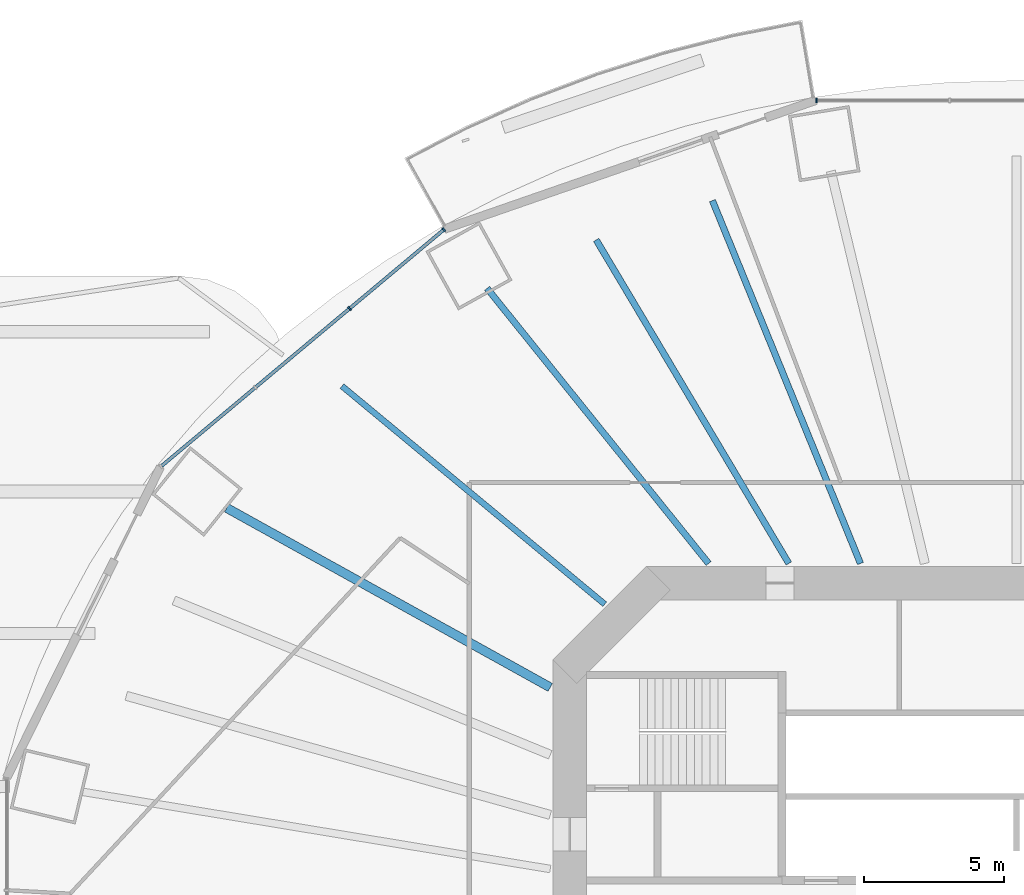
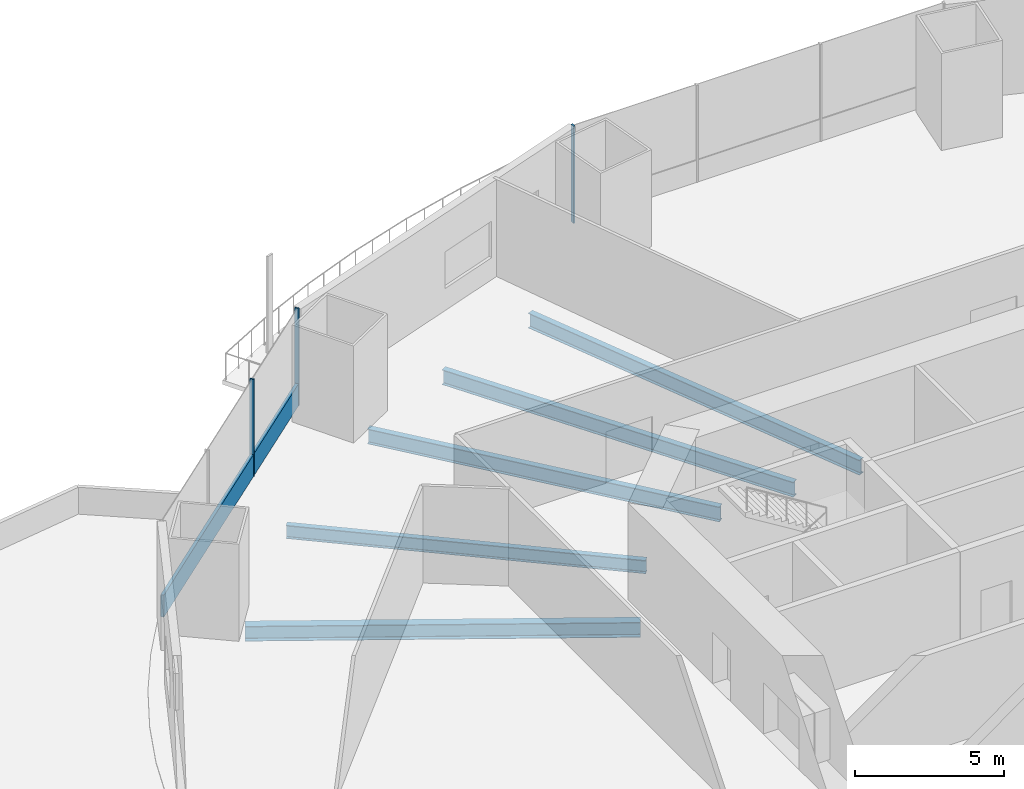
# One storey, part 9 of 27: 5 beams, 4 members, 2 elements without a shape of their own.
"""IFC4 building model written with IfcOpenShell, lengths in metres."""

from ifc_helpers import new_model, si_unit, direction, frame, origin, origin_2d, place, context, subcontext, project, spatial, rectangle, i_section, extrude, material, material_profile, profile_set, type_object, element, aggregate, save


model = new_model("IFC4")

# Units and contexts
model_context = context("Model", 3, precision=1e-05, world=origin(), true_north=direction((0.0, 1.0)))
body_context = subcontext(model_context, "Body", "Model", "MODEL_VIEW")
ifc_project = project(units=[si_unit("LENGTHUNIT", "METRE"), si_unit("AREAUNIT", "SQUARE_METRE"), si_unit("VOLUMEUNIT", "CUBIC_METRE"), si_unit("PLANEANGLEUNIT", "RADIAN"), si_unit("MASSUNIT", "GRAM", prefix="KILO")], contexts=[model_context])

# Site, building, storey
site_placement = place(None, origin())
site = spatial("IfcSite", under=ifc_project, at=site_placement, CompositionType="ELEMENT")
building_placement = place(site_placement, origin())
building = spatial("IfcBuilding", under=site, at=building_placement, Name="Marenthal Gate Tower", CompositionType="ELEMENT")
storey_placement = place(building_placement, frame((0.0, 0.0, 33.0)))
storey = spatial("IfcBuildingStorey", under=building, at=storey_placement, Name="L04", CompositionType="ELEMENT", Elevation=33.0)

# Curtain wall, member
ifc_material_1 = material(Name="Aluminium and glass", Category="aluminium")
curtain_wall_type = type_object("IfcCurtainWallType", Name="Curtain wall typical low", PredefinedType="NOTDEFINED", material=ifc_material_1)
curtain_wall_1_placement = place(storey_placement, origin())
curtain_wall_1 = element("IfcCurtainWall", 1, at=curtain_wall_1_placement, inside=storey, type_object=curtain_wall_type, Name="Curtain wall L04 bay 4", PredefinedType="NOTDEFINED")
ifc_material_2 = material(Name="Aluminium", Category="aluminium")
ifc_material_profile_1 = material_profile(ifc_material_2, rectangle(XDim=0.159912109375, YDim=0.06005859375, at=origin_2d()), Name="60x160 aluminium mullion")
ifc_profile_set_1 = profile_set([ifc_material_profile_1], Name="Aluminium")
member_type_1 = type_object("IfcMemberType", Name="Mullion 60x160 typical low", PredefinedType="MULLION", material=ifc_profile_set_1)
member_1_placement = place(storey_placement, frame((-7.164794921875, 30.28662109375, 0.0), z_axis=(0.0, 0.0, 1.0), x_axis=(0.0, -1.0, 0.0)))
member_1 = element("IfcMember", 2, at=member_1_placement, type_object=member_type_1, Name="Mullion L04 bay 4.4", PredefinedType="MULLION", context=body_context, shape_type="SweptSolid", body=[
    extrude(rectangle(XDim=0.159912109375, YDim=0.06005859375, at=origin_2d()), origin(), (0.0, 0.0, 1.0), 3.969970703125),
])
aggregate(curtain_wall_1, [member_1])

# Curtain wall, members
curtain_wall_2_placement = place(storey_placement, origin())
curtain_wall_2 = element("IfcCurtainWall", 3, at=curtain_wall_2_placement, inside=storey, type_object=curtain_wall_type, Name="Curtain wall L04 bay 6", PredefinedType="NOTDEFINED")
member_2_placement = place(storey_placement, frame((-20.512451171875, 25.656494140625, 0.0), z_axis=(0.0, 0.0, 1.0), x_axis=(0.641982192245, -0.76671954771, 0.0)))
member_2 = element("IfcMember", 4, at=member_2_placement, type_object=member_type_1, Name="Mullion L04 bay 6.1", PredefinedType="MULLION", context=body_context, shape_type="SweptSolid", body=[
    extrude(rectangle(XDim=0.159912109375, YDim=0.06005859375, at=origin_2d()), origin(), (0.0, 0.0, 1.0), 3.969970703125),
])
member_3_placement = place(storey_placement, frame((-23.888916015625, 22.829345703125, 0.0), z_axis=(0.0, 0.0, 1.0), x_axis=(0.641982192245, -0.76671954771, 0.0)))
member_3 = element("IfcMember", 5, at=member_3_placement, type_object=member_type_1, Name="Mullion L04 bay 6.2", PredefinedType="MULLION", context=body_context, shape_type="SweptSolid", body=[
    extrude(rectangle(XDim=0.159912109375, YDim=0.06005859375, at=origin_2d()), origin(), (0.0, 0.0, 1.0), 3.969970703125),
])
ifc_material_3 = material(Name="Aluminium", Category="aluminium")
ifc_material_profile_2 = material_profile(ifc_material_3, rectangle(XDim=0.1201171875, YDim=0.89990234375, at=origin_2d()), Name="120x900 aluminium transom")
ifc_profile_set_2 = profile_set([ifc_material_profile_2], Name="Aluminium")
member_type_2 = type_object("IfcMemberType", Name="Transom 120x900 typical low", PredefinedType="USERDEFINED", material=ifc_profile_set_2)
member_4_placement = place(storey_placement, frame((-20.535400390625, 25.63720703125, 0.449951171875), z_axis=(-0.766726434385, -0.641973967397, 0.0), x_axis=(0.641973967397, -0.766726434385, 0.0)))
member_4 = element("IfcMember", 6, at=member_4_placement, type_object=member_type_2, Name="Transom L04 bay 6", ObjectType="TRANSOM", PredefinedType="USERDEFINED", context=body_context, shape_type="SweptSolid", body=[
    extrude(rectangle(XDim=0.1201171875, YDim=0.89990234375, at=origin_2d()), origin(), (0.0, 0.0, 1.0), 13.151123046875),
])
aggregate(curtain_wall_2, [member_2, member_3, member_4])

# Beams
ifc_material_4 = material(Name="Steel S355", Category="steel")
ifc_material_profile_3 = material_profile(ifc_material_4, i_section(OverallWidth=0.2119140625, OverallDepth=0.5439453125, WebThickness=0.01318359375, FlangeThickness=0.021240234375, FilletRadius=0.0126953125, at=origin_2d()), Name="W530X123")
ifc_profile_set_3 = profile_set([ifc_material_profile_3], Name="Steel S355")
beam_type_1 = type_object("IfcBeamType", Name="W530X123 beam", PredefinedType="BEAM", material=ifc_profile_set_3)
beam_1_placement = place(storey_placement, frame((-24.16015625, 20.0537109375, -0.451904296875), z_axis=(0.769474660686, -0.638677341512, 0.0), x_axis=(0.638677341512, 0.769474660686, 0.0)))
element("IfcBeam", 7, at=beam_1_placement, inside=storey, type_object=beam_type_1, Name="BM-L04-25", PredefinedType="BEAM", context=body_context, shape_type="SweptSolid", body=[
    extrude(i_section(OverallWidth=0.2119140625, OverallDepth=0.5439453125, WebThickness=0.01318359375, FlangeThickness=0.021240234375, FilletRadius=0.0126953125, at=origin_2d()), origin(), (0.0, 0.0, 1.0), 12.2314453125),
])
ifc_material_5 = material(Name="Steel S355", Category="steel")
ifc_material_profile_4 = material_profile(ifc_material_5, i_section(OverallWidth=0.22900390625, OverallDepth=0.612060546875, WebThickness=0.011962890625, FlangeThickness=0.01953125, FilletRadius=0.0126953125, at=origin_2d()), Name="W610X125")
ifc_profile_set_4 = profile_set([ifc_material_profile_4], Name="Steel S355")
beam_type_2 = type_object("IfcBeamType", Name="W610X125 beam", PredefinedType="BEAM", material=ifc_profile_set_4)
beam_2_placement = place(storey_placement, frame((-18.962646484375, 23.555908203125, -0.486083984375), z_axis=(0.627068808797, -0.778963868889, 0.0), x_axis=(0.778963868889, 0.627068808797, 0.0)))
element("IfcBeam", 8, at=beam_2_placement, inside=storey, type_object=beam_type_2, Name="BM-L04-06", PredefinedType="BEAM", context=body_context, shape_type="SweptSolid", body=[
    extrude(i_section(OverallWidth=0.22900390625, OverallDepth=0.612060546875, WebThickness=0.011962890625, FlangeThickness=0.01953125, FilletRadius=0.0126953125, at=origin_2d()), origin(), (0.0, 0.0, 1.0), 12.652587890625),
])
beam_3_placement = place(storey_placement, frame((-10.89111328125, 26.697509765625, -0.486083984375), z_axis=(0.377721132555, -0.925919405791, 0.0), x_axis=(0.925919405791, 0.377721132555, 0.0)))
element("IfcBeam", 9, at=beam_3_placement, inside=storey, type_object=beam_type_2, Name="BM-L04-23", PredefinedType="BEAM", context=body_context, shape_type="SweptSolid", body=[
    extrude(i_section(OverallWidth=0.22900390625, OverallDepth=0.612060546875, WebThickness=0.011962890625, FlangeThickness=0.01953125, FilletRadius=0.0126953125, at=origin_2d()), origin(), (0.0, 0.0, 1.0), 14.037353515625),
])
beam_4_placement = place(storey_placement, frame((-15.05419921875, 25.2900390625, -0.486083984375), z_axis=(0.51150072514, -0.859282845273, 0.0), x_axis=(0.859282845273, 0.51150072514, 0.0)))
element("IfcBeam", 10, at=beam_4_placement, inside=storey, type_object=beam_type_2, Name="BM-L04-24", PredefinedType="BEAM", context=body_context, shape_type="SweptSolid", body=[
    extrude(i_section(OverallWidth=0.22900390625, OverallDepth=0.612060546875, WebThickness=0.011962890625, FlangeThickness=0.01953125, FilletRadius=0.0126953125, at=origin_2d()), origin(), (0.0, 0.0, 1.0), 13.488037109375),
])
ifc_material_6 = material(Name="Steel S355", Category="steel")
ifc_material_profile_5 = material_profile(ifc_material_6, i_section(OverallWidth=0.324951171875, OverallDepth=0.612060546875, WebThickness=0.0126953125, FlangeThickness=0.01904296875, FilletRadius=0.0126953125, at=origin_2d()), Name="W610X155")
ifc_profile_set_5 = profile_set([ifc_material_profile_5], Name="Steel S355")
beam_type_3 = type_object("IfcBeamType", Name="W610X155 beam", PredefinedType="BEAM", material=ifc_profile_set_5)
beam_5_placement = place(storey_placement, frame((-28.285888671875, 15.6875, -0.486083984375), z_axis=(0.874512560522, -0.485002867506, 0.0), x_axis=(0.485002867506, 0.874512560522, 0.0)))
element("IfcBeam", 11, at=beam_5_placement, inside=storey, type_object=beam_type_3, Name="BM-L04-07", PredefinedType="BEAM", context=body_context, shape_type="SweptSolid", body=[
    extrude(i_section(OverallWidth=0.324951171875, OverallDepth=0.612060546875, WebThickness=0.0126953125, FlangeThickness=0.01904296875, FilletRadius=0.0126953125, at=origin_2d()), origin(), (0.0, 0.0, 1.0), 13.24853515625),
])

save(model, "model.ifc")
